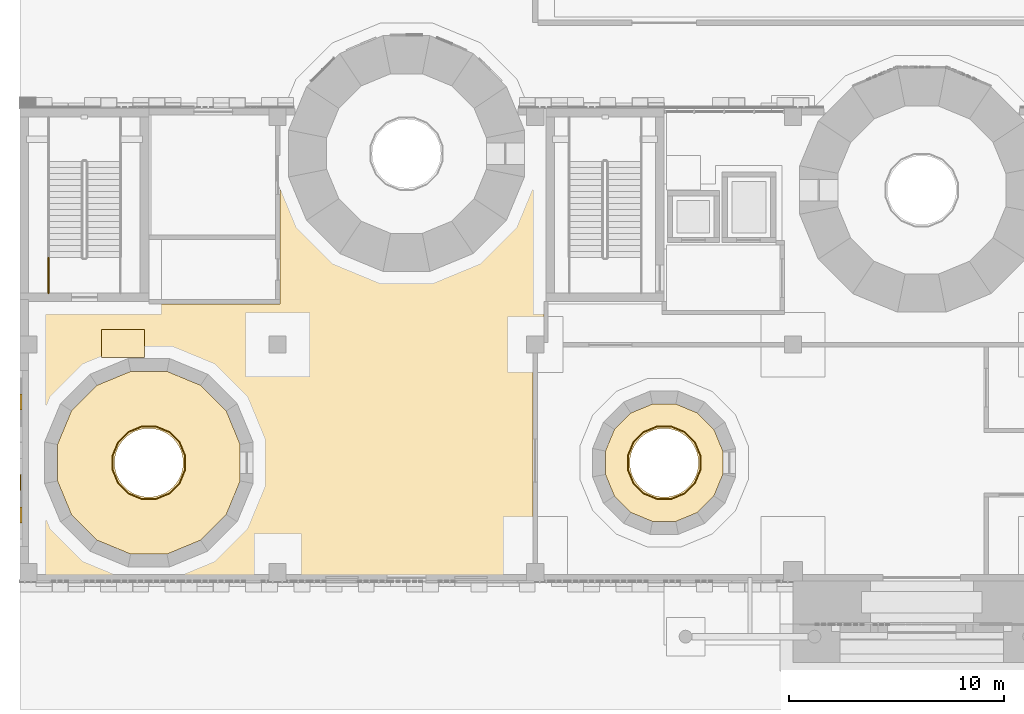
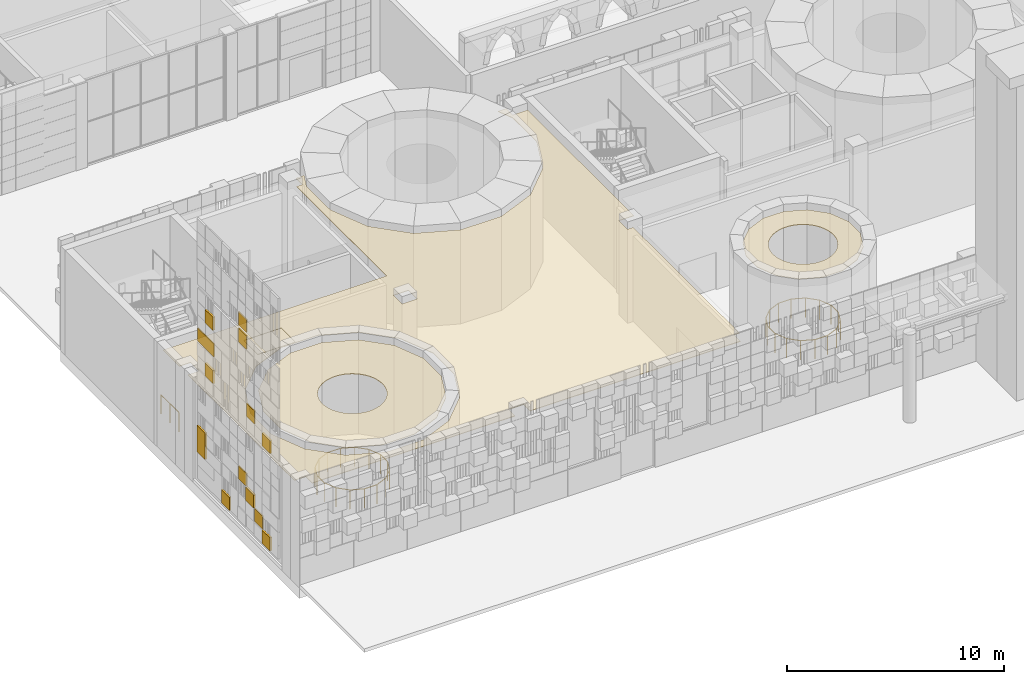
# One storey, part 74 of 125: 5 coverings, 3 railings.
"""IFC4 building model written with IfcOpenShell, lengths in metres."""

from ifc_helpers import new_model, si_unit, direction, frame, origin, origin_2d, place, context, subcontext, project, spatial, polyline, rectangle, circle, outline, extrude, material, layer, layer_set, type_object, element, save


model = new_model("IFC4")

# Units and contexts
model_context = context("Model", 3, precision=1e-05, world=origin(), true_north=direction((0.0, 1.0)))
body_context = subcontext(model_context, "Body", "Model", "MODEL_VIEW")
ifc_project = project(units=[si_unit("LENGTHUNIT", "METRE"), si_unit("AREAUNIT", "SQUARE_METRE"), si_unit("VOLUMEUNIT", "CUBIC_METRE"), si_unit("PLANEANGLEUNIT", "RADIAN"), si_unit("MASSUNIT", "GRAM", prefix="KILO")], contexts=[model_context])

# Site, building, storey
site_placement = place(None, origin())
site = spatial("IfcSite", under=ifc_project, at=site_placement, CompositionType="ELEMENT")
building_placement = place(site_placement, origin())
building = spatial("IfcBuilding", under=site, at=building_placement, Name="Sun Court Science Centre", CompositionType="ELEMENT")
storey_placement = place(building_placement, origin())
storey = spatial("IfcBuildingStorey", under=building, at=storey_placement, Name="L00", CompositionType="ELEMENT", Elevation=0.0)

# Coverings
ifc_material_1 = material(Name="Gypsum board")
ifc_layer_1 = layer(ifc_material_1, 0.030029296875)
ifc_layer_set_1 = layer_set([ifc_layer_1], Name="Gypsum board")
covering_type_1 = type_object("IfcCoveringType", Name="Ceiling suspended 600 module", PredefinedType="CEILING", material=ifc_layer_set_1)
covering_1_placement = place(storey_placement, frame((0.0, 0.0, 5.27001953125)))
element("IfcCovering", 1, at=covering_1_placement, inside=storey, type_object=covering_type_1, Name="L00-001 ceiling", PredefinedType="CEILING", context=body_context, shape_type="SweptSolid", body=[
    extrude(outline(polyline([(9.607177734375, 9.08984375), (8.41015625, 7.892822265625), (6.84619140625, 7.2451171875), (5.15380859375, 7.2451171875), (3.58984375, 7.892822265625), (2.392822265625, 9.08984375), (1.7451171875, 10.65380859375), (1.7451171875, 12.34619140625), (2.392822265625, 13.91015625), (3.58984375, 15.107177734375), (5.15380859375, 15.7548828125), (6.84619140625, 15.7548828125), (8.41015625, 15.107177734375), (9.607177734375, 13.91015625), (10.2548828125, 12.34619140625), (10.2548828125, 10.65380859375), (9.607177734375, 9.08984375)]), holes=[polyline([(7.478271484375, 12.1123046875), (7.385498046875, 12.300048828125), (7.269287109375, 12.47412109375), (7.13134765625, 12.63134765625), (6.97412109375, 12.769287109375), (6.800048828125, 12.885498046875), (6.6123046875, 12.978271484375), (6.4140625, 13.04541015625), (6.208740234375, 13.086181640625), (6.0, 13.10009765625), (5.791259765625, 13.086181640625), (5.5859375, 13.04541015625), (5.3876953125, 12.978271484375), (5.199951171875, 12.885498046875), (5.02587890625, 12.769287109375), (4.86865234375, 12.63134765625), (4.730712890625, 12.47412109375), (4.614501953125, 12.300048828125), (4.521728515625, 12.1123046875), (4.45458984375, 11.9140625), (4.413818359375, 11.708740234375), (4.39990234375, 11.5), (4.413818359375, 11.291259765625), (4.45458984375, 11.0859375), (4.521728515625, 10.8876953125), (4.614501953125, 10.699951171875), (4.730712890625, 10.52587890625), (4.86865234375, 10.36865234375), (5.02587890625, 10.230712890625), (5.199951171875, 10.114501953125), (5.3876953125, 10.021728515625), (5.5859375, 9.95458984375), (5.791259765625, 9.913818359375), (6.0, 9.89990234375), (6.208740234375, 9.913818359375), (6.4140625, 9.95458984375), (6.6123046875, 10.021728515625), (6.800048828125, 10.114501953125), (6.97412109375, 10.230712890625), (7.13134765625, 10.36865234375), (7.269287109375, 10.52587890625), (7.385498046875, 10.699951171875), (7.478271484375, 10.8876953125), (7.54541015625, 11.0859375), (7.586181640625, 11.291259765625), (7.60009765625, 11.5), (7.586181640625, 11.708740234375), (7.54541015625, 11.9140625), (7.478271484375, 12.1123046875)])]), origin(), (0.0, 0.0, 1.0), 0.030029296875),
])
covering_2_placement = place(storey_placement, frame((0.0, 0.0, 5.27001953125)))
element("IfcCovering", 2, at=covering_2_placement, inside=storey, type_object=covering_type_1, Name="L00-003 ceiling", PredefinedType="CEILING", context=body_context, shape_type="SweptSolid", body=[
    extrude(outline(polyline([(32.318359375, 9.950927734375), (31.549072265625, 9.181640625), (30.5439453125, 8.765380859375), (29.4560546875, 8.765380859375), (28.450927734375, 9.181640625), (27.681640625, 9.950927734375), (27.265380859375, 10.9560546875), (27.265380859375, 12.0439453125), (27.681640625, 13.049072265625), (28.450927734375, 13.818359375), (29.4560546875, 14.234619140625), (30.5439453125, 14.234619140625), (31.549072265625, 13.818359375), (32.318359375, 13.049072265625), (32.734619140625, 12.0439453125), (32.734619140625, 10.9560546875), (32.318359375, 9.950927734375)]), holes=[polyline([(31.478271484375, 12.1123046875), (31.385498046875, 12.300048828125), (31.269287109375, 12.47412109375), (31.13134765625, 12.63134765625), (30.97412109375, 12.769287109375), (30.800048828125, 12.885498046875), (30.6123046875, 12.978271484375), (30.4140625, 13.04541015625), (30.208740234375, 13.086181640625), (30.0, 13.10009765625), (29.791259765625, 13.086181640625), (29.5859375, 13.04541015625), (29.3876953125, 12.978271484375), (29.199951171875, 12.885498046875), (29.02587890625, 12.769287109375), (28.86865234375, 12.63134765625), (28.730712890625, 12.47412109375), (28.614501953125, 12.300048828125), (28.521728515625, 12.1123046875), (28.45458984375, 11.9140625), (28.413818359375, 11.708740234375), (28.39990234375, 11.5), (28.413818359375, 11.291259765625), (28.45458984375, 11.0859375), (28.521728515625, 10.8876953125), (28.614501953125, 10.699951171875), (28.730712890625, 10.52587890625), (28.86865234375, 10.36865234375), (29.02587890625, 10.230712890625), (29.199951171875, 10.114501953125), (29.3876953125, 10.021728515625), (29.5859375, 9.95458984375), (29.791259765625, 9.913818359375), (30.0, 9.89990234375), (30.208740234375, 9.913818359375), (30.4140625, 9.95458984375), (30.6123046875, 10.021728515625), (30.800048828125, 10.114501953125), (30.97412109375, 10.230712890625), (31.13134765625, 10.36865234375), (31.269287109375, 10.52587890625), (31.385498046875, 10.699951171875), (31.478271484375, 10.8876953125), (31.54541015625, 11.0859375), (31.586181640625, 11.291259765625), (31.60009765625, 11.5), (31.586181640625, 11.708740234375), (31.54541015625, 11.9140625), (31.478271484375, 12.1123046875)])]), origin(), (0.0, 0.0, 1.0), 0.030029296875),
])
covering_3_placement = place(storey_placement, frame((0.0, 0.0, 5.27001953125)))
element("IfcCovering", 3, at=covering_3_placement, inside=storey, type_object=covering_type_1, Name="L00-012 ceiling", PredefinedType="CEILING", context=body_context, shape_type="SweptSolid", body=[
    extrude(outline(polyline([(13.34375, 22.788818359375), (14.888916015625, 21.243896484375), (16.907470703125, 20.40771484375), (19.092529296875, 20.40771484375), (21.111083984375, 21.243896484375), (22.65625, 22.788818359375), (23.492431640625, 24.8076171875), (23.492431640625, 26.992431640625), (23.157958984375, 27.800048828125), (23.60009765625, 27.800048828125), (23.60009765625, 27.199951171875), (24.39990234375, 27.199951171875), (24.39990234375, 17.39990234375), (23.60009765625, 17.39990234375), (23.60009765625, 16.60009765625), (23.89990234375, 16.60009765625), (23.89990234375, 6.800048828125), (23.60009765625, 6.800048828125), (23.60009765625, 6.199951171875), (12.39990234375, 6.199951171875), (12.39990234375, 6.800048828125), (11.60009765625, 6.800048828125), (11.60009765625, 6.199951171875), (0.800048828125, 6.199951171875), (0.800048828125, 6.800048828125), (0.199951171875, 6.800048828125), (0.199951171875, 16.60009765625), (0.800048828125, 16.60009765625), (0.800048828125, 17.39990234375), (0.199951171875, 17.39990234375), (0.199951171875, 18.89990234375), (12.10009765625, 18.89990234375), (12.10009765625, 27.199951171875), (12.39990234375, 27.199951171875), (12.39990234375, 27.800048828125), (12.842041015625, 27.800048828125), (12.507568359375, 26.992431640625), (12.507568359375, 24.8076171875), (13.34375, 22.788818359375)]), holes=[polyline([(12.39990234375, 17.39990234375), (11.60009765625, 17.39990234375), (11.60009765625, 16.60009765625), (12.39990234375, 16.60009765625), (12.39990234375, 17.39990234375)]), polyline([(5.0341796875, 16.35498046875), (3.25, 15.61572265625), (1.88427734375, 14.25), (1.14501953125, 12.4658203125), (1.14501953125, 10.5341796875), (1.88427734375, 8.75), (3.25, 7.38427734375), (5.0341796875, 6.64501953125), (6.9658203125, 6.64501953125), (8.75, 7.38427734375), (10.11572265625, 8.75), (10.85498046875, 10.5341796875), (10.85498046875, 12.4658203125), (10.11572265625, 14.25), (8.75, 15.61572265625), (6.9658203125, 16.35498046875), (5.0341796875, 16.35498046875)]), polyline([(5.800048828125, 16.39990234375), (5.800048828125, 17.699951171875), (3.800048828125, 17.699951171875), (3.800048828125, 16.39990234375), (5.800048828125, 16.39990234375)])]), origin(), (0.0, 0.0, 1.0), 0.030029296875),
])
covering_4_placement = place(storey_placement, frame((0.0, 0.0, 5.27001953125)))
element("IfcCovering", 4, at=covering_4_placement, inside=storey, type_object=covering_type_1, Name="L00-028 ceiling", PredefinedType="CEILING", context=body_context, shape_type="SweptSolid", body=[
    extrude(outline(polyline([(5.800048828125, 17.699951171875), (5.800048828125, 16.39990234375), (3.800048828125, 16.39990234375), (3.800048828125, 17.699951171875), (5.800048828125, 17.699951171875)])), origin(), (0.0, 0.0, 1.0), 0.030029296875),
])

# Railings
ifc_material_2 = material(Name="Steel S275", Category="steel")
railing_type_1 = type_object("IfcRailingType", Name="Guard 1100 steel balustrade", PredefinedType="GUARDRAIL", material=ifc_material_2)
railing_1_placement = place(storey_placement, frame((1.326904296875, 19.39990234375, 0.0)))
element("IfcRailing", 5, at=railing_1_placement, inside=storey, type_object=railing_type_1, Name="L00 SB1 stair guard 8", PredefinedType="GUARDRAIL", context=body_context, shape_type="SweptSolid", body=[
    extrude(circle(Radius=0.02392578125, at=origin_2d()), frame((0.0, 0.0, 1.076171875), z_axis=(0.0, 1.0, 0.0), x_axis=(-1.0, 0.0, 0.0)), (0.0, 0.0, 1.0), 1.648193359375),
    extrude(circle(Radius=0.02099609375, at=origin_2d()), origin(), (0.0, 0.0, 1.0), 1.052001953125),
    extrude(circle(Radius=0.02099609375, at=origin_2d()), frame((0.0, 0.82421875, 0.0)), (0.0, 0.0, 1.0), 1.052001953125),
    extrude(circle(Radius=0.02099609375, at=origin_2d()), frame((0.0, 1.648193359375, 0.0)), (0.0, 0.0, 1.0), 1.052001953125),
])
ifc_material_3 = material(Name="Steel S275", Category="steel")
railing_type_2 = type_object("IfcRailingType", Name="Guard 1100 well balustrade", PredefinedType="GUARDRAIL", material=ifc_material_3)
railing_2_placement = place(storey_placement, frame((7.68701171875, 11.83544921875, 0.0)))
element("IfcRailing", 6, at=railing_2_placement, inside=storey, type_object=railing_type_2, Name="C1 well guard L00", PredefinedType="GUARDRAIL", context=body_context, shape_type="SweptSolid", body=[
    extrude(circle(Radius=0.02392578125, at=origin_2d()), frame((0.0, 0.0, 1.076171875), z_axis=(-0.382651625058, 0.923892706888, 0.0), x_axis=(-0.923892706888, -0.382651625058, 0.0)), (0.0, 0.0, 1.0), 0.671142578125),
    extrude(circle(Radius=0.02392578125, at=origin_2d()), frame((-0.2568359375, 0.6201171875, 1.076171875), z_axis=(-0.707106781187, 0.707106781187, 0.0), x_axis=(-0.707106781187, -0.707106781187, 0.0)), (0.0, 0.0, 1.0), 0.671142578125),
    extrude(circle(Radius=0.02392578125, at=origin_2d()), frame((-0.7314453125, 1.0947265625, 1.076171875), z_axis=(-0.923892706888, 0.382651625058, 0.0), x_axis=(-0.382651625058, -0.923892706888, 0.0)), (0.0, 0.0, 1.0), 0.671142578125),
    extrude(circle(Radius=0.02392578125, at=origin_2d()), frame((-1.3515625, 1.3515625, 1.076171875), z_axis=(-1.0, 0.0, 0.0), x_axis=(0.0, -1.0, 0.0)), (0.0, 0.0, 1.0), 0.6708984375),
    extrude(circle(Radius=0.02392578125, at=origin_2d()), frame((-2.0224609375, 1.3515625, 1.076171875), z_axis=(-0.923892706888, -0.382651625058, 0.0), x_axis=(0.382651625058, -0.923892706888, 0.0)), (0.0, 0.0, 1.0), 0.671142578125),
    extrude(circle(Radius=0.02392578125, at=origin_2d()), frame((-2.642578125, 1.0947265625, 1.076171875), z_axis=(-0.707106781187, -0.707106781187, 0.0), x_axis=(0.707106781187, -0.707106781187, 0.0)), (0.0, 0.0, 1.0), 0.671142578125),
    extrude(circle(Radius=0.02392578125, at=origin_2d()), frame((-3.1171875, 0.6201171875, 1.076171875), z_axis=(-0.382651625058, -0.923892706888, 0.0), x_axis=(0.923892706888, -0.382651625058, 0.0)), (0.0, 0.0, 1.0), 0.671142578125),
    extrude(circle(Radius=0.02392578125, at=origin_2d()), frame((-3.3740234375, 0.0, 1.076171875), z_axis=(0.0, -1.0, 0.0), x_axis=(1.0, 0.0, 0.0)), (0.0, 0.0, 1.0), 0.6708984375),
    extrude(circle(Radius=0.02392578125, at=origin_2d()), frame((-3.3740234375, -0.6708984375, 1.076171875), z_axis=(0.382651625058, -0.923892706888, 0.0), x_axis=(0.923892706888, 0.382651625058, 0.0)), (0.0, 0.0, 1.0), 0.671142578125),
    extrude(circle(Radius=0.02392578125, at=origin_2d()), frame((-3.1171875, -1.291015625, 1.076171875), z_axis=(0.707106781187, -0.707106781187, 0.0), x_axis=(0.707106781187, 0.707106781187, 0.0)), (0.0, 0.0, 1.0), 0.671142578125),
    extrude(circle(Radius=0.02392578125, at=origin_2d()), frame((-2.642578125, -1.765625, 1.076171875), z_axis=(0.923892706888, -0.382651625058, 0.0), x_axis=(0.382651625058, 0.923892706888, 0.0)), (0.0, 0.0, 1.0), 0.671142578125),
    extrude(circle(Radius=0.02392578125, at=origin_2d()), frame((-2.0224609375, -2.0224609375, 1.076171875), z_axis=(1.0, 0.0, 0.0), x_axis=(0.0, 1.0, 0.0)), (0.0, 0.0, 1.0), 0.6708984375),
    extrude(circle(Radius=0.02392578125, at=origin_2d()), frame((-1.3515625, -2.0224609375, 1.076171875), z_axis=(0.923892706888, 0.382651625058, 0.0), x_axis=(-0.382651625058, 0.923892706888, 0.0)), (0.0, 0.0, 1.0), 0.671142578125),
    extrude(circle(Radius=0.02392578125, at=origin_2d()), frame((-0.7314453125, -1.765625, 1.076171875), z_axis=(0.707106781187, 0.707106781187, 0.0), x_axis=(-0.707106781187, 0.707106781187, 0.0)), (0.0, 0.0, 1.0), 0.671142578125),
    extrude(circle(Radius=0.02392578125, at=origin_2d()), frame((-0.2568359375, -1.291015625, 1.076171875), z_axis=(0.382651625058, 0.923892706888, 0.0), x_axis=(-0.923892706888, 0.382651625058, 0.0)), (0.0, 0.0, 1.0), 0.671142578125),
    extrude(circle(Radius=0.02392578125, at=origin_2d()), frame((0.0, -0.6708984375, 1.076171875), z_axis=(0.0, 1.0, 0.0), x_axis=(-1.0, 0.0, 0.0)), (0.0, 0.0, 1.0), 0.6708984375),
    extrude(circle(Radius=0.02099609375, at=origin_2d()), origin(), (0.0, 0.0, 1.0), 1.052001953125),
    extrude(circle(Radius=0.02099609375, at=origin_2d()), frame((-0.2568359375, 0.6201171875, 0.0)), (0.0, 0.0, 1.0), 1.052001953125),
    extrude(circle(Radius=0.02099609375, at=origin_2d()), frame((-0.7314453125, 1.0947265625, 0.0)), (0.0, 0.0, 1.0), 1.052001953125),
    extrude(circle(Radius=0.02099609375, at=origin_2d()), frame((-1.3515625, 1.3515625, 0.0)), (0.0, 0.0, 1.0), 1.052001953125),
    extrude(circle(Radius=0.02099609375, at=origin_2d()), frame((-2.0224609375, 1.3515625, 0.0)), (0.0, 0.0, 1.0), 1.052001953125),
    extrude(circle(Radius=0.02099609375, at=origin_2d()), frame((-2.642578125, 1.0947265625, 0.0)), (0.0, 0.0, 1.0), 1.052001953125),
    extrude(circle(Radius=0.02099609375, at=origin_2d()), frame((-3.1171875, 0.6201171875, 0.0)), (0.0, 0.0, 1.0), 1.052001953125),
    extrude(circle(Radius=0.02099609375, at=origin_2d()), frame((-3.3740234375, 0.0, 0.0)), (0.0, 0.0, 1.0), 1.052001953125),
    extrude(circle(Radius=0.02099609375, at=origin_2d()), frame((-3.3740234375, -0.6708984375, 0.0)), (0.0, 0.0, 1.0), 1.052001953125),
    extrude(circle(Radius=0.02099609375, at=origin_2d()), frame((-3.1171875, -1.291015625, 0.0)), (0.0, 0.0, 1.0), 1.052001953125),
    extrude(circle(Radius=0.02099609375, at=origin_2d()), frame((-2.642578125, -1.765625, 0.0)), (0.0, 0.0, 1.0), 1.052001953125),
    extrude(circle(Radius=0.02099609375, at=origin_2d()), frame((-2.0224609375, -2.0224609375, 0.0)), (0.0, 0.0, 1.0), 1.052001953125),
    extrude(circle(Radius=0.02099609375, at=origin_2d()), frame((-1.3515625, -2.0224609375, 0.0)), (0.0, 0.0, 1.0), 1.052001953125),
    extrude(circle(Radius=0.02099609375, at=origin_2d()), frame((-0.7314453125, -1.765625, 0.0)), (0.0, 0.0, 1.0), 1.052001953125),
    extrude(circle(Radius=0.02099609375, at=origin_2d()), frame((-0.2568359375, -1.291015625, 0.0)), (0.0, 0.0, 1.0), 1.052001953125),
    extrude(circle(Radius=0.02099609375, at=origin_2d()), frame((0.0, -0.6708984375, 0.0)), (0.0, 0.0, 1.0), 1.052001953125),
])
railing_3_placement = place(storey_placement, frame((31.68701171875, 11.83544921875, 0.0)))
element("IfcRailing", 7, at=railing_3_placement, inside=storey, type_object=railing_type_2, Name="C3 well guard L00", PredefinedType="GUARDRAIL", context=body_context, shape_type="SweptSolid", body=[
    extrude(circle(Radius=0.02392578125, at=origin_2d()), frame((0.0, 0.0, 1.076171875), z_axis=(-0.382651625058, 0.923892706888, 0.0), x_axis=(-0.923892706888, -0.382651625058, 0.0)), (0.0, 0.0, 1.0), 0.671142578125),
    extrude(circle(Radius=0.02392578125, at=origin_2d()), frame((-0.2568359375, 0.6201171875, 1.076171875), z_axis=(-0.707106781187, 0.707106781187, 0.0), x_axis=(-0.707106781187, -0.707106781187, 0.0)), (0.0, 0.0, 1.0), 0.671142578125),
    extrude(circle(Radius=0.02392578125, at=origin_2d()), frame((-0.7314453125, 1.0947265625, 1.076171875), z_axis=(-0.923892706888, 0.382651625058, 0.0), x_axis=(-0.382651625058, -0.923892706888, 0.0)), (0.0, 0.0, 1.0), 0.671142578125),
    extrude(circle(Radius=0.02392578125, at=origin_2d()), frame((-1.3515625, 1.3515625, 1.076171875), z_axis=(-1.0, 0.0, 0.0), x_axis=(0.0, -1.0, 0.0)), (0.0, 0.0, 1.0), 0.6708984375),
    extrude(circle(Radius=0.02392578125, at=origin_2d()), frame((-2.0224609375, 1.3515625, 1.076171875), z_axis=(-0.923892706888, -0.382651625058, 0.0), x_axis=(0.382651625058, -0.923892706888, 0.0)), (0.0, 0.0, 1.0), 0.671142578125),
    extrude(circle(Radius=0.02392578125, at=origin_2d()), frame((-2.642578125, 1.0947265625, 1.076171875), z_axis=(-0.707106781187, -0.707106781187, 0.0), x_axis=(0.707106781187, -0.707106781187, 0.0)), (0.0, 0.0, 1.0), 0.671142578125),
    extrude(circle(Radius=0.02392578125, at=origin_2d()), frame((-3.1171875, 0.6201171875, 1.076171875), z_axis=(-0.382651625058, -0.923892706888, 0.0), x_axis=(0.923892706888, -0.382651625058, 0.0)), (0.0, 0.0, 1.0), 0.671142578125),
    extrude(circle(Radius=0.02392578125, at=origin_2d()), frame((-3.3740234375, 0.0, 1.076171875), z_axis=(0.0, -1.0, 0.0), x_axis=(1.0, 0.0, 0.0)), (0.0, 0.0, 1.0), 0.6708984375),
    extrude(circle(Radius=0.02392578125, at=origin_2d()), frame((-3.3740234375, -0.6708984375, 1.076171875), z_axis=(0.382651625058, -0.923892706888, 0.0), x_axis=(0.923892706888, 0.382651625058, 0.0)), (0.0, 0.0, 1.0), 0.671142578125),
    extrude(circle(Radius=0.02392578125, at=origin_2d()), frame((-3.1171875, -1.291015625, 1.076171875), z_axis=(0.707106781187, -0.707106781187, 0.0), x_axis=(0.707106781187, 0.707106781187, 0.0)), (0.0, 0.0, 1.0), 0.671142578125),
    extrude(circle(Radius=0.02392578125, at=origin_2d()), frame((-2.642578125, -1.765625, 1.076171875), z_axis=(0.923892706888, -0.382651625058, 0.0), x_axis=(0.382651625058, 0.923892706888, 0.0)), (0.0, 0.0, 1.0), 0.671142578125),
    extrude(circle(Radius=0.02392578125, at=origin_2d()), frame((-2.0224609375, -2.0224609375, 1.076171875), z_axis=(1.0, 0.0, 0.0), x_axis=(0.0, 1.0, 0.0)), (0.0, 0.0, 1.0), 0.6708984375),
    extrude(circle(Radius=0.02392578125, at=origin_2d()), frame((-1.3515625, -2.0224609375, 1.076171875), z_axis=(0.923892706888, 0.382651625058, 0.0), x_axis=(-0.382651625058, 0.923892706888, 0.0)), (0.0, 0.0, 1.0), 0.671142578125),
    extrude(circle(Radius=0.02392578125, at=origin_2d()), frame((-0.7314453125, -1.765625, 1.076171875), z_axis=(0.707106781187, 0.707106781187, 0.0), x_axis=(-0.707106781187, 0.707106781187, 0.0)), (0.0, 0.0, 1.0), 0.671142578125),
    extrude(circle(Radius=0.02392578125, at=origin_2d()), frame((-0.2568359375, -1.291015625, 1.076171875), z_axis=(0.382651625058, 0.923892706888, 0.0), x_axis=(-0.923892706888, 0.382651625058, 0.0)), (0.0, 0.0, 1.0), 0.671142578125),
    extrude(circle(Radius=0.02392578125, at=origin_2d()), frame((0.0, -0.6708984375, 1.076171875), z_axis=(0.0, 1.0, 0.0), x_axis=(-1.0, 0.0, 0.0)), (0.0, 0.0, 1.0), 0.6708984375),
    extrude(circle(Radius=0.02099609375, at=origin_2d()), origin(), (0.0, 0.0, 1.0), 1.052001953125),
    extrude(circle(Radius=0.02099609375, at=origin_2d()), frame((-0.2568359375, 0.6201171875, 0.0)), (0.0, 0.0, 1.0), 1.052001953125),
    extrude(circle(Radius=0.02099609375, at=origin_2d()), frame((-0.7314453125, 1.0947265625, 0.0)), (0.0, 0.0, 1.0), 1.052001953125),
    extrude(circle(Radius=0.02099609375, at=origin_2d()), frame((-1.3515625, 1.3515625, 0.0)), (0.0, 0.0, 1.0), 1.052001953125),
    extrude(circle(Radius=0.02099609375, at=origin_2d()), frame((-2.0224609375, 1.3515625, 0.0)), (0.0, 0.0, 1.0), 1.052001953125),
    extrude(circle(Radius=0.02099609375, at=origin_2d()), frame((-2.642578125, 1.0947265625, 0.0)), (0.0, 0.0, 1.0), 1.052001953125),
    extrude(circle(Radius=0.02099609375, at=origin_2d()), frame((-3.1171875, 0.6201171875, 0.0)), (0.0, 0.0, 1.0), 1.052001953125),
    extrude(circle(Radius=0.02099609375, at=origin_2d()), frame((-3.3740234375, 0.0, 0.0)), (0.0, 0.0, 1.0), 1.052001953125),
    extrude(circle(Radius=0.02099609375, at=origin_2d()), frame((-3.3740234375, -0.6708984375, 0.0)), (0.0, 0.0, 1.0), 1.052001953125),
    extrude(circle(Radius=0.02099609375, at=origin_2d()), frame((-3.1171875, -1.291015625, 0.0)), (0.0, 0.0, 1.0), 1.052001953125),
    extrude(circle(Radius=0.02099609375, at=origin_2d()), frame((-2.642578125, -1.765625, 0.0)), (0.0, 0.0, 1.0), 1.052001953125),
    extrude(circle(Radius=0.02099609375, at=origin_2d()), frame((-2.0224609375, -2.0224609375, 0.0)), (0.0, 0.0, 1.0), 1.052001953125),
    extrude(circle(Radius=0.02099609375, at=origin_2d()), frame((-1.3515625, -2.0224609375, 0.0)), (0.0, 0.0, 1.0), 1.052001953125),
    extrude(circle(Radius=0.02099609375, at=origin_2d()), frame((-0.7314453125, -1.765625, 0.0)), (0.0, 0.0, 1.0), 1.052001953125),
    extrude(circle(Radius=0.02099609375, at=origin_2d()), frame((-0.2568359375, -1.291015625, 0.0)), (0.0, 0.0, 1.0), 1.052001953125),
    extrude(circle(Radius=0.02099609375, at=origin_2d()), frame((0.0, -0.6708984375, 0.0)), (0.0, 0.0, 1.0), 1.052001953125),
])

# Covering
ifc_material_4 = material(Name="Terracotta shade 5", Category="masonry")
ifc_layer_2 = layer(ifc_material_4, 0.06005859375)
ifc_layer_set_2 = layer_set([ifc_layer_2], Name="Terracotta shade 5")
covering_type_2 = type_object("IfcCoveringType", Name="Terracotta pixel panel shade 5", PredefinedType="CLADDING", material=ifc_layer_set_2)
covering_5_placement = place(storey_placement, origin())
element("IfcCovering", 8, at=covering_5_placement, inside=storey, type_object=covering_type_2, Name="Terracotta pixel cladding shade 5 west party wall L00", PredefinedType="CLADDING", context=body_context, shape_type="SweptSolid", body=[
    extrude(rectangle(XDim=0.739990234375, YDim=0.10009765625, at=origin_2d()), frame((0.050048828125, 9.074951171875, 0.22998046875), z_axis=(0.0, 0.0, 1.0), x_axis=(0.0, 1.0, 0.0)), (0.0, 0.0, 1.0), 0.739990234375),
    extrude(rectangle(XDim=0.739990234375, YDim=0.10009765625, at=origin_2d()), frame((0.050048828125, 12.824951171875, 0.22998046875), z_axis=(0.0, 0.0, 1.0), x_axis=(0.0, 1.0, 0.0)), (0.0, 0.0, 1.0), 0.739990234375),
    extrude(rectangle(XDim=0.739990234375, YDim=0.06005859375, at=origin_2d()), frame((0.070068359375, 9.824951171875, 0.97998046875), z_axis=(0.0, 0.0, 1.0), x_axis=(0.0, 1.0, 0.0)), (0.0, 0.0, 1.0), 0.739990234375),
    extrude(rectangle(XDim=0.739990234375, YDim=0.10009765625, at=origin_2d()), frame((0.050048828125, 10.574951171875, 1.72998046875), z_axis=(0.0, 0.0, 1.0), x_axis=(0.0, 1.0, 0.0)), (0.0, 0.0, 1.0), 0.739990234375),
    extrude(rectangle(XDim=0.739990234375, YDim=0.10009765625, at=origin_2d()), frame((0.050048828125, 15.074951171875, 1.72998046875), z_axis=(0.0, 0.0, 1.0), x_axis=(0.0, 1.0, 0.0)), (0.0, 0.0, 1.0), 0.739990234375),
    extrude(rectangle(XDim=0.739990234375, YDim=0.06005859375, at=origin_2d()), frame((0.070068359375, 11.324951171875, 2.47998046875), z_axis=(0.0, 0.0, 1.0), x_axis=(0.0, 1.0, 0.0)), (0.0, 0.0, 1.0), 0.739990234375),
    extrude(rectangle(XDim=0.739990234375, YDim=0.10009765625, at=origin_2d()), frame((0.050048828125, 15.074951171875, 2.47998046875), z_axis=(0.0, 0.0, 1.0), x_axis=(0.0, 1.0, 0.0)), (0.0, 0.0, 1.0), 0.739990234375),
    extrude(rectangle(XDim=0.739990234375, YDim=0.10009765625, at=origin_2d()), frame((0.050048828125, 9.074951171875, 5.705078125), z_axis=(0.0, 0.0, 1.0), x_axis=(0.0, 1.0, 0.0)), (0.0, 0.0, 1.0), 0.739990234375),
    extrude(rectangle(XDim=0.739990234375, YDim=0.06005859375, at=origin_2d()), frame((0.070068359375, 10.574951171875, 6.455078125), z_axis=(0.0, 0.0, 1.0), x_axis=(0.0, 1.0, 0.0)), (0.0, 0.0, 1.0), 0.739990234375),
    extrude(rectangle(XDim=0.739990234375, YDim=0.10009765625, at=origin_2d()), frame((0.050048828125, 14.324951171875, 6.455078125), z_axis=(0.0, 0.0, 1.0), x_axis=(0.0, 1.0, 0.0)), (0.0, 0.0, 1.0), 0.739990234375),
    extrude(rectangle(XDim=0.739990234375, YDim=0.06005859375, at=origin_2d()), frame((0.070068359375, 14.324951171875, 7.955078125), z_axis=(0.0, 0.0, 1.0), x_axis=(0.0, 1.0, 0.0)), (0.0, 0.0, 1.0), 0.739990234375),
    extrude(rectangle(XDim=0.739990234375, YDim=0.06005859375, at=origin_2d()), frame((0.070068359375, 15.074951171875, 7.955078125), z_axis=(0.0, 0.0, 1.0), x_axis=(0.0, 1.0, 0.0)), (0.0, 0.0, 1.0), 0.739990234375),
    extrude(rectangle(XDim=0.739990234375, YDim=0.10009765625, at=origin_2d()), frame((0.050048828125, 14.324951171875, 9.455078125), z_axis=(0.0, 0.0, 1.0), x_axis=(0.0, 1.0, 0.0)), (0.0, 0.0, 1.0), 0.739990234375),
    extrude(rectangle(XDim=0.739990234375, YDim=0.06005859375, at=origin_2d()), frame((0.070068359375, 11.324951171875, 10.205078125), z_axis=(0.0, 0.0, 1.0), x_axis=(0.0, 1.0, 0.0)), (0.0, 0.0, 1.0), 0.739990234375),
    extrude(rectangle(XDim=0.739990234375, YDim=0.06005859375, at=origin_2d()), frame((0.070068359375, 11.324951171875, 11.15478515625), z_axis=(0.0, 0.0, 1.0), x_axis=(0.0, 1.0, 0.0)), (0.0, 0.0, 1.0), 0.739990234375),
])

save(model, "model.ifc")
